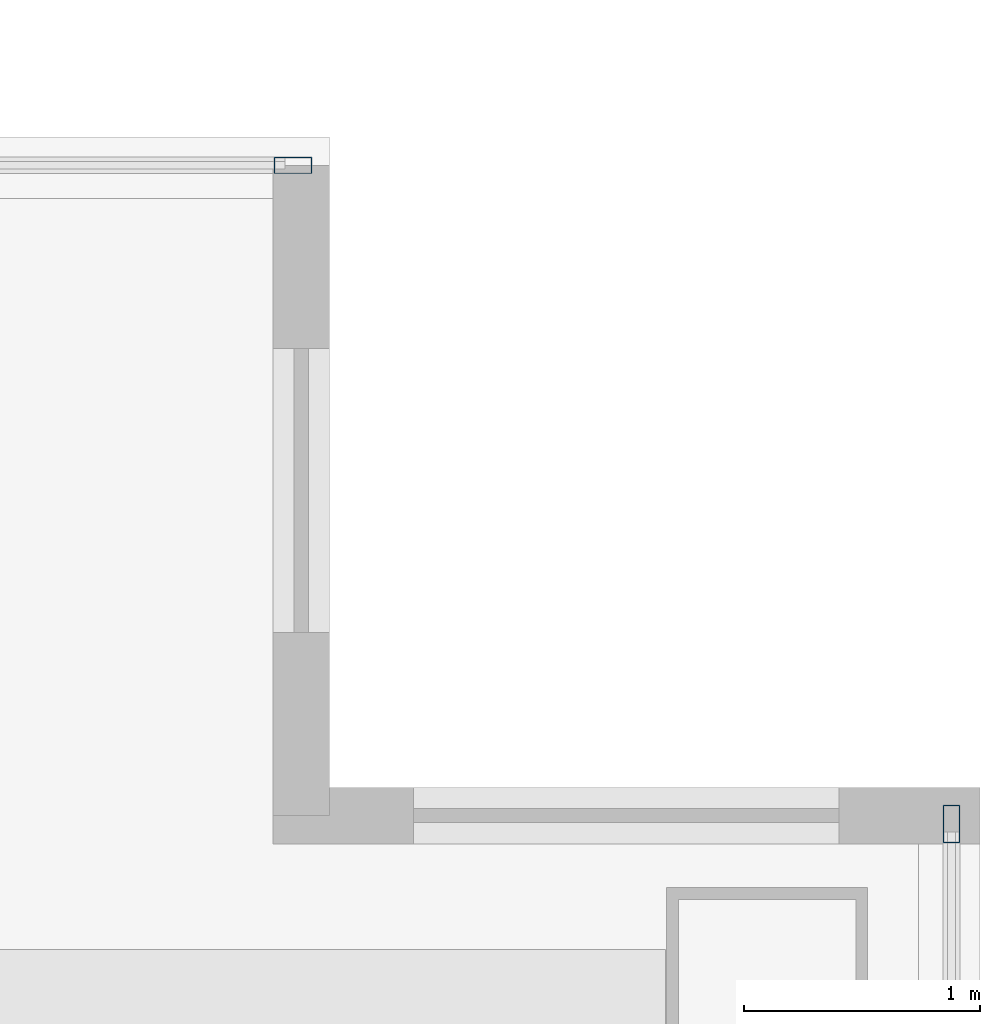
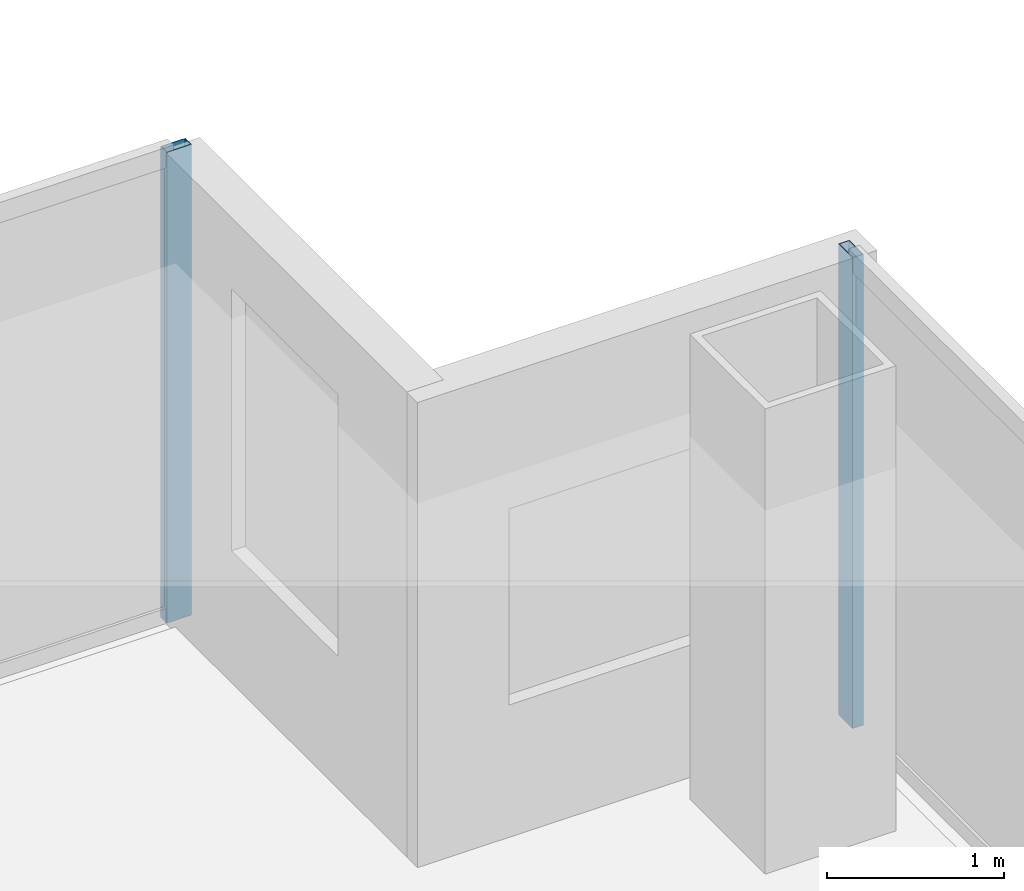
# One storey, part 16 of 23: 2 members, 2 elements without a shape of their own.
"""IFC4 building model written with IfcOpenShell, lengths in metres."""

from ifc_helpers import new_model, si_unit, direction, frame, origin, origin_2d, place, context, subcontext, project, spatial, hollow_rectangle, extrude, material, material_profile, profile_set, type_object, element, aggregate, save


model = new_model("IFC4")

# Units and contexts
model_context = context("Model", 3, precision=1e-05, world=origin(), true_north=direction((0.0, 1.0)))
body_context = subcontext(model_context, "Body", "Model", "MODEL_VIEW")
ifc_project = project(units=[si_unit("LENGTHUNIT", "METRE"), si_unit("AREAUNIT", "SQUARE_METRE"), si_unit("VOLUMEUNIT", "CUBIC_METRE"), si_unit("PLANEANGLEUNIT", "RADIAN"), si_unit("MASSUNIT", "GRAM", prefix="KILO")], contexts=[model_context])

# Site, building, storey
site_placement = place(None, origin())
site = spatial("IfcSite", under=ifc_project, at=site_placement, CompositionType="ELEMENT")
building_placement = place(site_placement, origin())
building = spatial("IfcBuilding", under=site, at=building_placement, Name="Cobrela Telecom Tower", CompositionType="ELEMENT")
storey_placement = place(building_placement, frame((0.0, 0.0, 176.75)))
storey = spatial("IfcBuildingStorey", under=building, at=storey_placement, Name="L44", CompositionType="ELEMENT", Elevation=176.75)

# Curtain wall, member
ifc_material = material(Name="Anodized Bronze Aluminium 6063-T6", Category="aluminium")
curtain_wall_type = type_object("IfcCurtainWallType", Name="CW-SYS-OFF-LO", PredefinedType="USERDEFINED", material=ifc_material)
curtain_wall_1_placement = place(storey_placement, origin())
curtain_wall_1 = element("IfcCurtainWall", 1, at=curtain_wall_1_placement, inside=storey, type_object=curtain_wall_type, Name="L44 Unitised Bronze Curtain Wall 11", ObjectType="UNITISED CURTAIN WALL", PredefinedType="USERDEFINED")
ifc_material_profile = material_profile(ifc_material, hollow_rectangle(XDim=0.070068359375, YDim=0.159912109375, WallThickness=0.00390625, at=origin_2d()), Name="ALU 70x160x4")
ifc_profile_set = profile_set([ifc_material_profile], Name="Anodized Bronze Aluminium 6063-T6")
member_type = type_object("IfcMemberType", Name="CW-SYS-OFF-LO-MUL", PredefinedType="MULLION", material=ifc_profile_set)
member_1_placement = place(storey_placement, frame((41.094970703125, 25.080078125, 0.0), z_axis=(0.0, 0.0, 1.0), x_axis=(0.0, 1.0, 0.0)))
member_1 = element("IfcMember", 2, at=member_1_placement, type_object=member_type, Name="CW-OFF-LO mullion 3", PredefinedType="MULLION", context=body_context, shape_type="SweptSolid", body=[
    extrude(hollow_rectangle(XDim=0.070068359375, YDim=0.159912109375, WallThickness=0.00390625, at=origin_2d()), origin(), (0.0, 0.0, 1.0), 3.239990234375),
])
aggregate(curtain_wall_1, [member_1])

curtain_wall_2_placement = place(storey_placement, origin())
curtain_wall_2 = element("IfcCurtainWall", 3, at=curtain_wall_2_placement, inside=storey, type_object=curtain_wall_type, Name="L44 Unitised Bronze Curtain Wall 14", ObjectType="UNITISED CURTAIN WALL", PredefinedType="USERDEFINED")
member_2_placement = place(storey_placement, frame((43.8798828125, 22.294921875, 0.0), z_axis=(0.0, 0.0, 1.0), x_axis=(1.0, 0.0, 0.0)))
member_2 = element("IfcMember", 4, at=member_2_placement, type_object=member_type, Name="CW-OFF-LO mullion 1", PredefinedType="MULLION", context=body_context, shape_type="SweptSolid", body=[
    extrude(hollow_rectangle(XDim=0.070068359375, YDim=0.159912109375, WallThickness=0.00390625, at=origin_2d()), origin(), (0.0, 0.0, 1.0), 3.239990234375),
])
aggregate(curtain_wall_2, [member_2])

save(model, "model.ifc")
